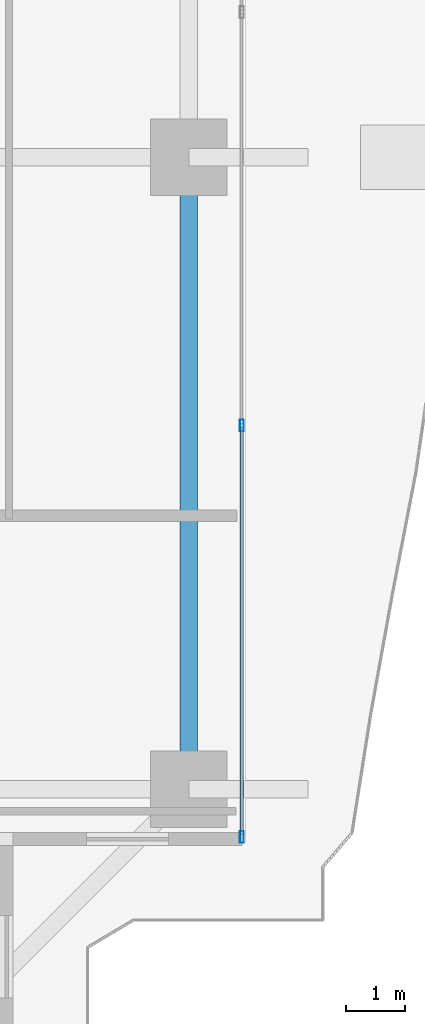
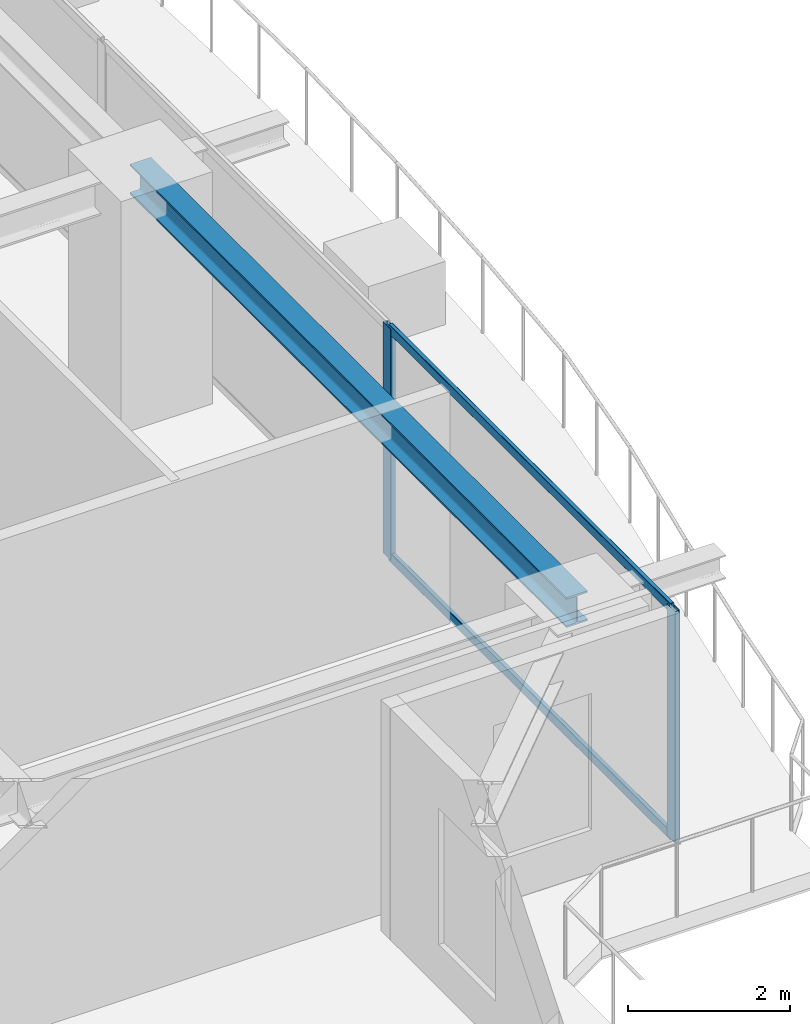
# One storey, part 11 of 33: 4 members, 1 beam, 1 element without a shape of its own.
"""IFC4 building model written with IfcOpenShell, lengths in metres."""

from ifc_helpers import new_model, si_unit, direction, frame, origin, origin_2d, place, context, subcontext, project, spatial, hollow_rectangle, i_section, extrude, source, transform, mapped, material, layer, layer_set, material_profile, profile_set, type_object, element, aggregate, save


model = new_model("IFC4")

# Units and contexts
model_context = context("Model", 3, precision=1e-05, world=origin(), true_north=direction((0.0, 1.0)))
body_context = subcontext(model_context, "Body", "Model", "MODEL_VIEW")
ifc_project = project(units=[si_unit("LENGTHUNIT", "METRE"), si_unit("AREAUNIT", "SQUARE_METRE"), si_unit("VOLUMEUNIT", "CUBIC_METRE"), si_unit("PLANEANGLEUNIT", "RADIAN"), si_unit("MASSUNIT", "GRAM", prefix="KILO")], contexts=[model_context])

# Site, building, storey
site_placement = place(None, origin())
site = spatial("IfcSite", under=ifc_project, at=site_placement, CompositionType="ELEMENT")
building_placement = place(site_placement, origin())
building = spatial("IfcBuilding", under=site, at=building_placement, Name="Serunith Strait Residences", CompositionType="ELEMENT")
storey_placement = place(building_placement, frame((0.0, 0.0, 150.14990234375)))
storey = spatial("IfcBuildingStorey", under=building, at=storey_placement, Name="L37", CompositionType="ELEMENT", Elevation=150.14990234375)

# Beam
ifc_material_1 = material(Name="Steel S355J2", Category="steel")
ifc_material_profile_1 = material_profile(ifc_material_1, i_section(OverallWidth=0.300048828125, OverallDepth=0.449951171875, WebThickness=0.013916015625, FlangeThickness=0.02587890625, FilletRadius=0.027099609375, at=origin_2d()), Name="HEB 450")
ifc_profile_set_1 = profile_set([ifc_material_profile_1], Name="Steel S355J2")
beam_type = type_object("IfcBeamType", Name="BM-HEB450", PredefinedType="BEAM", material=ifc_profile_set_1)
shared_shape_1 = source(origin(), body_context, "Body", "SweptSolid", [
    extrude(i_section(OverallWidth=0.300048828125, OverallDepth=0.449951171875, WebThickness=0.013916015625, FlangeThickness=0.02587890625, FilletRadius=0.027099609375, at=origin_2d()), origin(), (0.0, 0.0, 1.0), 10.75),
])
beam_placement = place(storey_placement, frame((56.10009765625, 10.25, 3.26220703125), z_axis=(0.0, 1.0, 0.0), x_axis=(-1.0, 0.0, 0.0)))
element("IfcBeam", 1, at=beam_placement, inside=storey, type_object=beam_type, Name="L37 Perimeter Ring Beam 05", PredefinedType="BEAM", context=body_context, shape_type="MappedRepresentation", body=[
    mapped(shared_shape_1, transform((0.0, 0.0, 0.0), scale=1.0)),
])

# Curtain wall, members
ifc_material_2 = material(Name="Pale-Champagne Anodised Aluminium", Category="aluminium")
ifc_layer = layer(ifc_material_2, 0.199951171875, Name="Pale-Champagne Anodised Aluminium")
ifc_layer_set = layer_set([ifc_layer], Name="Pale-Champagne Anodised Aluminium")
curtain_wall_type = type_object("IfcCurtainWallType", Name="CW-SYS2", PredefinedType="NOTDEFINED", material=ifc_layer_set)
curtain_wall_placement = place(storey_placement, origin())
curtain_wall = element("IfcCurtainWall", 2, at=curtain_wall_placement, inside=storey, type_object=curtain_wall_type, Name="L37 E Unitised Fritted Curtain Wall", PredefinedType="NOTDEFINED")
ifc_material_profile_2 = material_profile(ifc_material_2, hollow_rectangle(XDim=0.070068359375, YDim=0.199951171875, WallThickness=0.00390625, InnerFilletRadius=0.006103515625, OuterFilletRadius=0.010009765625, at=origin_2d()), Name="ALU 200x70x4")
ifc_profile_set_2 = profile_set([ifc_material_profile_2], Name="Pale-Champagne Anodised Aluminium")
member_type_1 = type_object("IfcMemberType", Name="CW-SYS2-MULL", PredefinedType="MULLION", material=ifc_profile_set_2)
shared_shape_2 = source(origin(), body_context, "Body", "SweptSolid", [
    extrude(hollow_rectangle(XDim=0.070068359375, YDim=0.199951171875, WallThickness=0.00390625, InnerFilletRadius=0.006103515625, OuterFilletRadius=0.010009765625, at=origin_2d()), origin(), (0.0, 0.0, 1.0), 3.47509765625),
])
member_1_placement = place(storey_placement, frame((57.0, 9.43505859375, 0.0), z_axis=(0.0, 0.0, 1.0), x_axis=(-1.0, 0.0, 0.0)))
member_1 = element("IfcMember", 3, at=member_1_placement, type_object=member_type_1, Name="CW-2 mullion 1", PredefinedType="MULLION", context=body_context, shape_type="MappedRepresentation", body=[
    mapped(shared_shape_2, transform((0.0, 0.0, 0.0), scale=1.0)),
])
member_2_placement = place(storey_placement, frame((57.0, 16.433349609375, 0.0), z_axis=(0.0, 0.0, 1.0), x_axis=(-1.0, 0.0, 0.0)))
member_2 = element("IfcMember", 4, at=member_2_placement, type_object=member_type_1, Name="CW-2 mullion 2", PredefinedType="MULLION", context=body_context, shape_type="MappedRepresentation", body=[
    mapped(shared_shape_2, transform((0.0, 0.0, 0.0), scale=1.0)),
])
ifc_material_profile_3 = material_profile(ifc_material_2, hollow_rectangle(XDim=0.06005859375, YDim=0.139892578125, WallThickness=0.00341796875, InnerFilletRadius=0.00537109375, OuterFilletRadius=0.0087890625, at=origin_2d()), Name="ALU 140x60x3.5")
ifc_profile_set_3 = profile_set([ifc_material_profile_3], Name="Pale-Champagne Anodised Aluminium")
member_type_2 = type_object("IfcMemberType", Name="CW-SYS2-TRAN", PredefinedType="USERDEFINED", material=ifc_profile_set_3)
shared_shape_3 = source(origin(), body_context, "Body", "SweptSolid", [
    extrude(hollow_rectangle(XDim=0.06005859375, YDim=0.139892578125, WallThickness=0.00341796875, InnerFilletRadius=0.00537109375, OuterFilletRadius=0.0087890625, at=origin_2d()), origin(), (0.0, 0.0, 1.0), 6.928466796875),
])
member_3_placement = place(storey_placement, frame((57.0, 9.469970703125, 0.030029296875), z_axis=(0.0, 1.0, 0.0), x_axis=(-1.0, 0.0, 0.0)))
member_3 = element("IfcMember", 5, at=member_3_placement, type_object=member_type_2, Name="CW-2 transom 1.1", ObjectType="TRANSOM", PredefinedType="USERDEFINED", context=body_context, shape_type="MappedRepresentation", body=[
    mapped(shared_shape_3, transform((0.0, 0.0, 0.0), scale=1.0)),
])
member_4_placement = place(storey_placement, frame((57.0, 9.469970703125, 3.445068359375), z_axis=(0.0, 1.0, 0.0), x_axis=(-1.0, 0.0, 0.0)))
member_4 = element("IfcMember", 6, at=member_4_placement, type_object=member_type_2, Name="CW-2 transom 1.2", ObjectType="TRANSOM", PredefinedType="USERDEFINED", context=body_context, shape_type="MappedRepresentation", body=[
    mapped(shared_shape_3, transform((0.0, 0.0, 0.0), scale=1.0)),
])
aggregate(curtain_wall, [member_1, member_2, member_3, member_4])

save(model, "model.ifc")
